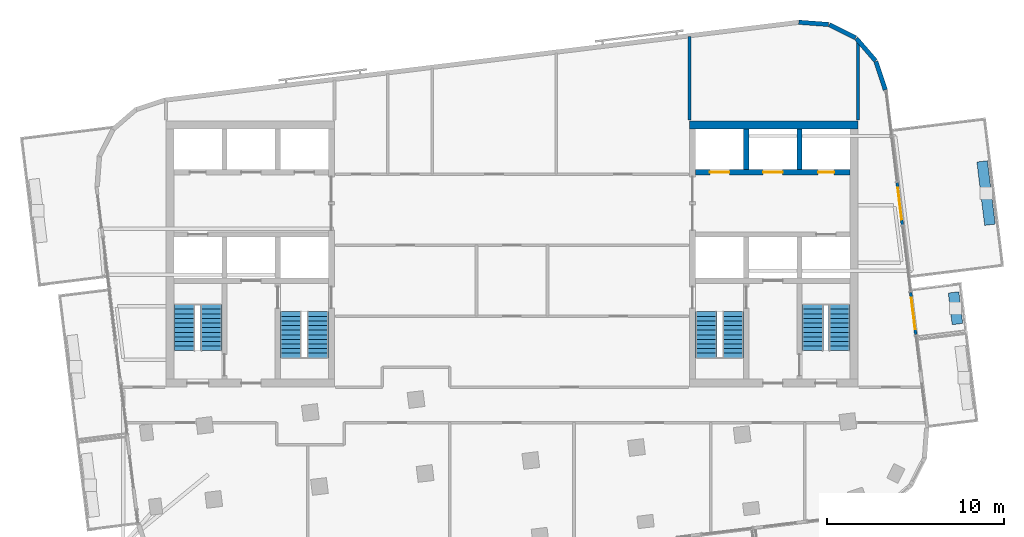
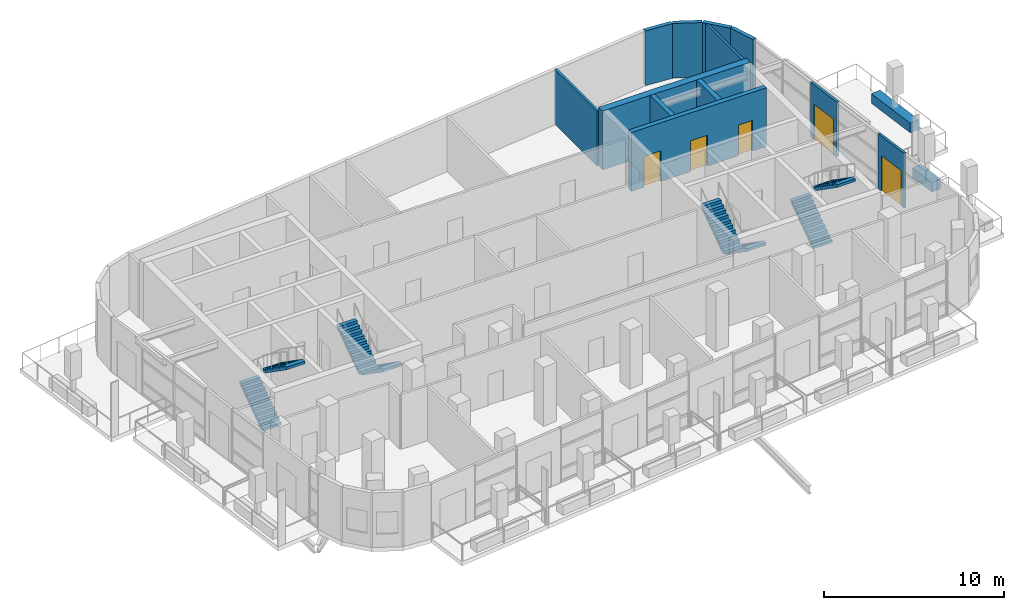
# One storey, part 9 of 13: 14 walls, 8 stair flights, 5 doors, 5 openings, 4 elements without a shape of their own.
"""IFC4 building model written with IfcOpenShell, lengths in metres."""

import ifcopenshell
import ifcopenshell.guid

model = None  # the IFC model being written
_history = None  # IfcOwnerHistory: only IFC2X3 demands one
_inside = {}  # id of a spatial element -> (the spatial element, [elements in it])
_under = {}  # id of a project, library or spatial element -> (it, [spatial elements below it])
_declared = {}  # id of a project -> (the project, [libraries it declares])
_typed = {}  # id of a type object -> (the type object, [elements of that type])
_made_of = {}  # id of a material, layer set ... -> (it, [elements and type objects made of it])


def new_model(schema):
    """Start an empty IFC model of exactly this schema.

    Asked for "IFC4X3", IfcOpenShell would pick the latest addendum, in which some entities
    have other attributes; the version numbers below select the first issue.
    IFC2X3 requires an IfcOwnerHistory on every rooted entity: one is made here for all.
    """
    global model, _history
    if schema == "IFC4X3":
        model = ifcopenshell.file(schema_version=(4, 3, 0, 0))
    else:
        model = ifcopenshell.file(schema=schema)
    _inside.clear()
    _under.clear()
    _declared.clear()
    _typed.clear()
    _made_of.clear()
    _history = None
    if model.schema == "IFC2X3":
        org = make("IfcOrganization", Name="unknown")
        user = make(
            "IfcPersonAndOrganization",
            ThePerson=make("IfcPerson", FamilyName="unknown"),
            TheOrganization=org,
        )
        app = make(
            "IfcApplication",
            ApplicationDeveloper=org,
            Version="unknown",
            ApplicationFullName="unknown",
            ApplicationIdentifier="unknown",
        )
        _history = make(
            "IfcOwnerHistory",
            OwningUser=user,
            OwningApplication=app,
            ChangeAction="ADDED",
            CreationDate=0,
        )
    return model


def make(cls, **values):
    """One entity of the class cls with the attributes given. An attribute that is None is left unset."""
    return model.create_entity(
        cls, **{name: value for name, value in values.items() if value is not None}
    )


def rooted(cls, **values):
    """An entity with a GlobalId (a new one), such as an element, a storey or a relation."""
    return make(cls, GlobalId=ifcopenshell.guid.new(), OwnerHistory=_history, **values)


def si_unit(unit_type, name, prefix=None):
    """IfcSIUnit, for example si_unit("LENGTHUNIT", "METRE", prefix="MILLI")."""
    return make("IfcSIUnit", UnitType=unit_type, Prefix=prefix, Name=name)


def assignment(units):
    """IfcUnitAssignment: the units of a project."""
    return None if units is None else make("IfcUnitAssignment", Units=units)


def point(xyz):
    """IfcCartesianPoint."""
    return None if xyz is None else make("IfcCartesianPoint", Coordinates=xyz)


def direction(xyz):
    """IfcDirection."""
    return None if xyz is None else make("IfcDirection", DirectionRatios=xyz)


def frame(location, z_axis=None, x_axis=None):
    """IfcAxis2Placement3D, a coordinate frame: its origin and axes. An axis left out is left unset."""
    return make(
        "IfcAxis2Placement3D",
        Location=point(location),
        Axis=direction(z_axis),
        RefDirection=direction(x_axis),
    )


def frame_2d(location, x_axis=None):
    """IfcAxis2Placement2D, a coordinate frame in the plane: its origin and x axis."""
    return make(
        "IfcAxis2Placement2D", Location=point(location), RefDirection=direction(x_axis)
    )


def origin():
    """The frame at (0, 0, 0) with its axes left unset."""
    return frame((0.0, 0.0, 0.0))


def place(relative_to, where):
    """IfcLocalPlacement: puts the frame where relative to a parent placement (None: the world)."""
    return make(
        "IfcLocalPlacement", PlacementRelTo=relative_to, RelativePlacement=where
    )


def context(
    kind, dimensions, precision=None, world=None, true_north=None, identifier=None
):
    """IfcGeometricRepresentationContext, for example the 3D "Model" context."""
    return make(
        "IfcGeometricRepresentationContext",
        ContextIdentifier=identifier,
        ContextType=kind,
        CoordinateSpaceDimension=dimensions,
        Precision=precision,
        WorldCoordinateSystem=world,
        TrueNorth=true_north,
    )


def subcontext(parent, identifier, kind, view, scale=None):
    """IfcGeometricRepresentationSubContext, for example "Body" below "Model"."""
    return make(
        "IfcGeometricRepresentationSubContext",
        ContextIdentifier=identifier,
        ContextType=kind,
        ParentContext=parent,
        TargetScale=scale,
        TargetView=view,
    )


def project(units=None, contexts=None):
    """IfcProject with its units and contexts."""
    return rooted(
        "IfcProject",
        Name="project",
        RepresentationContexts=contexts,
        UnitsInContext=assignment(units),
    )


def spatial(cls, under=None, at=None, **own):
    """A site, building, storey or space (cls), placed at a placement, below another one or the project."""
    s = rooted(cls, ObjectPlacement=at, **own)
    if under is not None:
        _under.setdefault(under.id(), (under, []))[1].append(s)
    return s


def polyline(points):
    """IfcPolyline through the points."""
    return make("IfcPolyline", Points=[point(p) for p in points])


def profile(cls, at=None, kind="AREA", **sizes):
    """A parametric profile (cls). Its sizes go by their IFC names, for example OverallWidth=200.0."""
    return make(cls, ProfileType=kind, Position=at, **sizes)


def rectangle(**sizes):
    """IfcRectangleProfileDef."""
    return profile("IfcRectangleProfileDef", **sizes)


def outline(outer, holes=None, kind="AREA"):
    """IfcArbitraryClosedProfileDef: a profile drawn as a closed curve; with holes, ...WithVoids."""
    if holes is None:
        return make("IfcArbitraryClosedProfileDef", ProfileType=kind, OuterCurve=outer)
    return make(
        "IfcArbitraryProfileDefWithVoids",
        ProfileType=kind,
        OuterCurve=outer,
        InnerCurves=holes,
    )


def extrude(swept, where, along, depth):
    """IfcExtrudedAreaSolid: the profile swept, set in the frame where, extruded along a direction by depth."""
    return make(
        "IfcExtrudedAreaSolid",
        SweptArea=swept,
        Position=where,
        ExtrudedDirection=direction(along),
        Depth=depth,
    )


def shape(context_of_items, identifier, shape_type, items):
    """IfcShapeRepresentation: the items that make up one representation, for example the "Body"."""
    return make(
        "IfcShapeRepresentation",
        ContextOfItems=context_of_items,
        RepresentationIdentifier=identifier,
        RepresentationType=shape_type,
        Items=items,
    )


def material(Name=None, Category=None):
    """IfcMaterial."""
    return make("IfcMaterial", Name=Name, Category=Category)


def layer(
    of_material, thickness, ventilated=None, Name=None, Category=None, Priority=None
):
    """IfcMaterialLayer: one layer of a wall or slab, of a material (None: an air gap)."""
    return make(
        "IfcMaterialLayer",
        Material=of_material,
        LayerThickness=thickness,
        IsVentilated=ventilated,
        Name=Name,
        Category=Category,
        Priority=Priority,
    )


def layer_set(layers, Name=None):
    """IfcMaterialLayerSet."""
    return make("IfcMaterialLayerSet", MaterialLayers=layers, LayerSetName=Name)


def made_of(thing, what):
    """Note that an element or type object is made of a material, layer set ...; save() writes the relation."""
    if what is not None:
        _made_of.setdefault(what.id(), (what, []))[1].append(thing)
    return thing


def type_object(cls, material=None, **own):
    """A type object (cls), such as IfcWallType, which elements share."""
    return made_of(rooted(cls, **own), material)


def element(
    cls,
    number,
    at=None,
    inside=None,
    cuts=None,
    type_object=None,
    material=None,
    context=None,
    identifier="Body",
    shape_type=None,
    held_by="IfcProductDefinitionShape",
    body=None,
    shapes=None,
    **own,
):
    """One element of the class cls, such as IfcWall. Its Tag is "e" and its number.

    at: its placement. inside: the storey or other place that contains it. cuts: it is an
    opening in that element (IfcRelVoidsElement). A single representation is given by context,
    identifier, shape_type and body (its items); several are given by shapes. held_by: the class
    of the entity that holds the representations. save() writes the other relations.
    """
    e = rooted(cls, Tag="e%d" % number, ObjectPlacement=at, **own)
    if body is not None:
        shapes = [shape(context, identifier, shape_type, body)]
    if shapes is not None:
        e.Representation = make(held_by, Representations=shapes)
    if inside is not None:
        _inside.setdefault(inside.id(), (inside, []))[1].append(e)
    if cuts is not None:
        rooted(
            "IfcRelVoidsElement", RelatingBuildingElement=cuts, RelatedOpeningElement=e
        )
    if type_object is not None:
        _typed.setdefault(type_object.id(), (type_object, []))[1].append(e)
    return made_of(e, material)


def fill(opening, filler):
    """IfcRelFillsElement: the door or window that sits in an opening."""
    return rooted(
        "IfcRelFillsElement",
        RelatingOpeningElement=opening,
        RelatedBuildingElement=filler,
    )


def aggregate(whole, parts):
    """IfcRelAggregates: a whole, such as a stair, and the parts it consists of."""
    return rooted("IfcRelAggregates", RelatingObject=whole, RelatedObjects=parts)


def save(model, path):
    """Write the relations noted so far, then the file.

    IfcRelAggregates (storeys below a building ...), IfcRelContainedInSpatialStructure (elements
    in a storey), IfcRelDefinesByType, IfcRelAssociatesMaterial and IfcRelDeclares: one each for
    every whole, place, type object, material and project.
    """
    for whole, parts in _under.values():
        aggregate(whole, parts)
    for where, things in _inside.values():
        rooted(
            "IfcRelContainedInSpatialStructure",
            RelatedElements=things,
            RelatingStructure=where,
        )
    for kind, things in _typed.values():
        rooted("IfcRelDefinesByType", RelatedObjects=things, RelatingType=kind)
    for what, things in _made_of.values():
        rooted("IfcRelAssociatesMaterial", RelatedObjects=things, RelatingMaterial=what)
    for by, libraries in _declared.values():
        rooted("IfcRelDeclares", RelatingContext=by, RelatedDefinitions=libraries)
    model.write(path)


model = new_model("IFC4")

# Units and contexts
model_context = context("Model", 3, precision=1e-05, world=origin(), true_north=direction((0.0, 1.0)))
body_context = subcontext(model_context, "Body", "Model", "MODEL_VIEW")
ifc_project = project(units=[si_unit("LENGTHUNIT", "METRE"), si_unit("AREAUNIT", "SQUARE_METRE"), si_unit("VOLUMEUNIT", "CUBIC_METRE"), si_unit("PLANEANGLEUNIT", "RADIAN"), si_unit("MASSUNIT", "GRAM", prefix="KILO")], contexts=[model_context])

# Site, building, storey
site_placement = place(None, origin())
site = spatial("IfcSite", under=ifc_project, at=site_placement, CompositionType="ELEMENT")
building_placement = place(site_placement, origin())
building = spatial("IfcBuilding", under=site, at=building_placement, Name="Torana Hotel and Residences", CompositionType="ELEMENT")
storey_placement = place(building_placement, frame((0.0, 0.0, 314.60009765625)))
storey = spatial("IfcBuildingStorey", under=building, at=storey_placement, Name="L83", CompositionType="ELEMENT", Elevation=314.60009765625)

# Wall, openings, doors
ifc_material_1 = material(Name="Concrete C60/75", Category="concrete")
ifc_layer_1 = layer(ifc_material_1, 0.300048828125)
ifc_layer_set_1 = layer_set([ifc_layer_1], Name="CORE WALL 300 C60/75")
wall_type_1 = type_object("IfcWallType", Name="CORE WALL 300 C60/75", PredefinedType="SHEAR", material=ifc_layer_set_1)
wall_1_placement = place(storey_placement, frame((10.35009765625, -2.89990234375, 0.0), z_axis=(0.0, 0.0, 1.0), x_axis=(1.0, 0.0, 0.0)))
wall_1 = element("IfcWall", 1, at=wall_1_placement, inside=storey, type_object=wall_type_1, Name="Core wall E row-N", PredefinedType="SHEAR", context=body_context, shape_type="SweptSolid", body=[
    extrude(rectangle(XDim=8.699951171875, YDim=0.300048828125, at=frame_2d((4.35009765625, 0.0))), origin(), (0.0, 0.0, 1.0), 4.0),
])
opening_1_placement = place(wall_1_placement, frame((0.800048828125, 0.0, 0.0)))
opening_1 = element("IfcOpeningElement", 2, at=opening_1_placement, cuts=wall_1, Name="Opening LD", PredefinedType="OPENING", context=body_context, shape_type="SweptSolid", body=[
    extrude(rectangle(XDim=1.10009765625, YDim=2.10009765625, at=frame_2d((0.550048828125, 1.050048828125))), frame((0.0, 0.159912109375, 0.0), z_axis=(0.0, -1.0, 0.0), x_axis=(1.0, 0.0, 0.0)), (0.0, 0.0, 1.0), 0.320068359375),
])
opening_2_placement = place(wall_1_placement, frame((3.800048828125, 0.0, 0.0)))
opening_2 = element("IfcOpeningElement", 3, at=opening_2_placement, cuts=wall_1, Name="Opening LD", PredefinedType="OPENING", context=body_context, shape_type="SweptSolid", body=[
    extrude(rectangle(XDim=1.10009765625, YDim=2.10009765625, at=frame_2d((0.550048828125, 1.050048828125))), frame((0.0, 0.159912109375, 0.0), z_axis=(0.0, -1.0, 0.0), x_axis=(1.0, 0.0, 0.0)), (0.0, 0.0, 1.0), 0.320068359375),
])
opening_3_placement = place(wall_1_placement, frame((6.89990234375, 0.0, 0.0)))
opening_3 = element("IfcOpeningElement", 4, at=opening_3_placement, cuts=wall_1, Name="Opening L83-14", PredefinedType="OPENING", context=body_context, shape_type="SweptSolid", body=[
    extrude(rectangle(XDim=0.89990234375, YDim=2.10009765625, at=frame_2d((0.449951171875, 1.050048828125))), frame((0.0, 0.159912109375, 0.0), z_axis=(0.0, -1.0, 0.0), x_axis=(1.0, 0.0, 0.0)), (0.0, 0.0, 1.0), 0.320068359375),
])
ifc_material_2 = material(Name="Stainless steel 316", Category="steel")
door_type_1 = type_object("IfcDoorType", Name="LIFT LANDING DOOR LD 1100x2100", OperationType="DOUBLE_DOOR_SLIDING", PredefinedType="USERDEFINED", material=ifc_material_2)
door_1_placement = place(opening_1_placement, origin())
door_1 = element("IfcDoor", 5, at=door_1_placement, inside=storey, type_object=door_type_1, Name="Lift landing door H3 L83", ObjectType="LIFT LANDING DOOR", OperationType="DOUBLE_DOOR_SLIDING", OverallHeight=2.10009765625, OverallWidth=1.10009765625, PredefinedType="USERDEFINED", context=body_context, shape_type="SweptSolid", body=[
    extrude(rectangle(XDim=1.10009765625, YDim=2.10009765625, at=frame_2d((0.550048828125, 1.050048828125))), frame((0.0, 0.02490234375, 0.0), z_axis=(0.0, -1.0, 0.0), x_axis=(1.0, 0.0, 0.0)), (0.0, 0.0, 1.0), 0.050048828125),
])
fill(opening_1, door_1)
door_2_placement = place(opening_2_placement, origin())
door_2 = element("IfcDoor", 6, at=door_2_placement, inside=storey, type_object=door_type_1, Name="Lift landing door H4 L83", ObjectType="LIFT LANDING DOOR", OperationType="DOUBLE_DOOR_SLIDING", OverallHeight=2.10009765625, OverallWidth=1.10009765625, PredefinedType="USERDEFINED", context=body_context, shape_type="SweptSolid", body=[
    extrude(rectangle(XDim=1.10009765625, YDim=2.10009765625, at=frame_2d((0.550048828125, 1.050048828125))), frame((0.0, 0.02490234375, 0.0), z_axis=(0.0, -1.0, 0.0), x_axis=(1.0, 0.0, 0.0)), (0.0, 0.0, 1.0), 0.050048828125),
])
fill(opening_2, door_2)
ifc_material_3 = material(Name="Steel S235", Category="steel")
door_type_2 = type_object("IfcDoorType", Name="RISER ACCESS DOOR D5 900x2100", OperationType="SINGLE_SWING_LEFT", PredefinedType="DOOR", material=ifc_material_3)
door_3_placement = place(opening_3_placement, origin())
door_3 = element("IfcDoor", 7, at=door_3_placement, inside=storey, type_object=door_type_2, Name="N2 door L83", OperationType="SINGLE_SWING_RIGHT", OverallHeight=2.10009765625, OverallWidth=0.89990234375, PredefinedType="DOOR", context=body_context, shape_type="SweptSolid", body=[
    extrude(rectangle(XDim=0.89990234375, YDim=2.10009765625, at=frame_2d((0.449951171875, 1.050048828125))), frame((0.0, 0.02490234375, 0.0), z_axis=(0.0, -1.0, 0.0), x_axis=(1.0, 0.0, 0.0)), (0.0, 0.0, 1.0), 0.050048828125),
])
fill(opening_3, door_3)

# Walls
for number, where, z_axis, x_axis, name in (
    (8, (13.199951171875, -2.75, 0.0), (0.0, 0.0, 1.0), (0.0, 1.0, 0.0), "Core wall E x3.05-N"),
    (9, (16.199951171875, -2.75, 0.0), (0.0, 0.0, 1.0), (0.0, 1.0, 0.0), "Core wall E x6.05-N"),
):
    element("IfcWall", number, at=place(storey_placement, frame(where, z_axis=z_axis, x_axis=x_axis)), inside=storey, type_object=wall_type_1, Name=name, PredefinedType="SHEAR", context=body_context, shape_type="SweptSolid", body=[
        extrude(rectangle(XDim=2.300048828125, YDim=0.300048828125, at=frame_2d((1.14990234375, 0.0))), origin(), (0.0, 0.0, 1.0), 4.0),
    ])
ifc_material_4 = material(Name="Concrete C60/75", Category="concrete")
ifc_layer_2 = layer(ifc_material_4, 0.449951171875)
ifc_layer_set_2 = layer_set([ifc_layer_2], Name="CORE WALL 450 C60/75")
wall_type_2 = type_object("IfcWallType", Name="CORE WALL 450 C60/75", PredefinedType="SHEAR", material=ifc_layer_set_2)
wall_2_placement = place(storey_placement, frame((10.0, -0.22509765625, 0.0), z_axis=(0.0, 0.0, 1.0), x_axis=(1.0, 0.0, 0.0)))
element("IfcWall", 10, at=wall_2_placement, inside=storey, type_object=wall_type_2, Name="Core wall E rear", PredefinedType="SHEAR", context=body_context, shape_type="SweptSolid", body=[
    extrude(rectangle(XDim=9.5, YDim=0.449951171875, at=frame_2d((4.75, 0.0))), origin(), (0.0, 0.0, 1.0), 4.0),
])
ifc_material_5 = material(Name="Black aluminium composite panel", Category="aluminium")
ifc_layer_3 = layer(ifc_material_5, 0.00390625, Name="Cladding", Category="cladding")
ifc_material_6 = material(Name="Ventilated air cavity")
ifc_layer_4 = layer(ifc_material_6, 0.0400390625, Name="Ventilated cavity", Category="cavity")
ifc_material_7 = material(Name="Mineral wool insulation")
ifc_layer_5 = layer(ifc_material_7, 0.090087890625, Name="Insulation", Category="insulation")
ifc_material_8 = material(Name="Steel S280GD", Category="steel")
ifc_layer_6 = layer(ifc_material_8, 0.092041015625, Name="Steel stud frame", Category="structure")
ifc_material_9 = material(Name="Fire rated plasterboard")
ifc_layer_7 = layer(ifc_material_9, 0.011962890625, Name="Inner board", Category="finish")
ifc_layer_8 = layer(ifc_material_9, 0.011962890625, Name="Second board", Category="finish")
ifc_layer_set_3 = layer_set([ifc_layer_3, ifc_layer_4, ifc_layer_5, ifc_layer_6, ifc_layer_7, ifc_layer_8], Name="EW1 EXTERNAL WALL BLACK METAL CLAD 250")
wall_type_3 = type_object("IfcWallType", Name="EW1 EXTERNAL WALL BLACK METAL CLAD 250", PredefinedType="SOLIDWALL", material=ifc_layer_set_3)
wall_3_placement = place(storey_placement, frame((21.035888671875, 1.754638671875, 0.0), z_axis=(0.0, 0.0, 1.0), x_axis=(-0.313046160822, 0.949737911844, 0.0)))
element("IfcWall", 11, at=wall_3_placement, inside=storey, type_object=wall_type_3, Name="External wall L83 e0.0", PredefinedType="SOLIDWALL", context=body_context, shape_type="SweptSolid", body=[
    extrude(rectangle(XDim=1.681396484375, YDim=0.25, at=frame_2d((0.8408203125, 0.0))), origin(), (0.0, 0.0, 1.0), 3.719970703125),
])
for number, where, z_axis, x_axis, name in (
    (12, (20.4853515625, 3.39404296875, 0.0), (0.0, 0.0, 1.0), (-0.652755886531, 0.757568315466, 0.0), "External wall L83 e0.1"),
    (13, (19.36572265625, 4.678955078125, 0.0), (0.0, 0.0, 1.0), (-0.893007580524, 0.450041621549, 0.0), "External wall L83 e0.2"),
):
    element("IfcWall", number, at=place(storey_placement, frame(where, z_axis=z_axis, x_axis=x_axis)), inside=storey, type_object=wall_type_3, Name=name, PredefinedType="SOLIDWALL", context=body_context, shape_type="SweptSolid", body=[
        extrude(rectangle(XDim=1.65625, YDim=0.25, at=frame_2d((0.828125, 0.0))), origin(), (0.0, 0.0, 1.0), 3.719970703125),
    ])
wall_4_placement = place(storey_placement, frame((17.839599609375, 5.4375, 0.0), z_axis=(0.0, 0.0, 1.0), x_axis=(-0.997254267475, 0.074053534713, 0.0)))
element("IfcWall", 14, at=wall_4_placement, inside=storey, type_object=wall_type_3, Name="External wall L83 e0.3", PredefinedType="SOLIDWALL", context=body_context, shape_type="SweptSolid", body=[
    extrude(rectangle(XDim=1.681396484375, YDim=0.25, at=frame_2d((0.8408203125, 0.0))), origin(), (0.0, 0.0, 1.0), 3.719970703125),
])

# Wall, opening, door
ifc_material_10 = material(Name="Dark glass screen in aluminium frame", Category="aluminium")
ifc_layer_9 = layer(ifc_material_10, 0.14990234375)
ifc_layer_set_4 = layer_set([ifc_layer_9], Name="GS1 GLAZED DOOR SCREEN 150")
wall_type_4 = type_object("IfcWallType", Name="GS1 GLAZED DOOR SCREEN 150", PredefinedType="USERDEFINED", material=ifc_layer_set_4)
wall_5_placement = place(storey_placement, frame((22.757080078125, -12.0380859375, 0.0), z_axis=(0.0, 0.0, 1.0), x_axis=(-0.121868445399, 0.992546261902, 0.0)))
wall_5 = element("IfcWall", 15, at=wall_5_placement, inside=storey, type_object=wall_type_4, Name="Glazed door screen L83", ObjectType="GLAZED SCREEN", PredefinedType="USERDEFINED", context=body_context, shape_type="SweptSolid", body=[
    extrude(rectangle(XDim=2.39990234375, YDim=0.14990234375, at=frame_2d((1.199951171875, 0.0))), origin(), (0.0, 0.0, 1.0), 3.719970703125),
])
opening_4_placement = place(wall_5_placement, frame((0.300048828125, 0.0, 0.0)))
opening_4 = element("IfcOpeningElement", 16, at=opening_4_placement, cuts=wall_5, Name="Opening L83-E11", PredefinedType="OPENING", context=body_context, shape_type="SweptSolid", body=[
    extrude(rectangle(XDim=1.800048828125, YDim=2.39990234375, at=frame_2d((0.89990234375, 1.199951171875))), frame((0.0, 0.0849609375, 0.0), z_axis=(0.0, -1.0, 0.0), x_axis=(1.0, 0.0, 0.0)), (0.0, 0.0, 1.0), 0.169921875),
])
ifc_material_11 = material(Name="Dark glass in black aluminium frame", Category="aluminium")
door_type_3 = type_object("IfcDoorType", Name="DB1 BALCONY DOOR 1800x2400", OperationType="DOUBLE_DOOR_SINGLE_SWING", PredefinedType="DOOR", material=ifc_material_11)
door_4_placement = place(opening_4_placement, origin())
door_4 = element("IfcDoor", 17, at=door_4_placement, inside=storey, type_object=door_type_3, Name="Balcony door L83", OperationType="DOUBLE_DOOR_SINGLE_SWING", OverallHeight=2.39990234375, OverallWidth=1.800048828125, PredefinedType="DOOR", context=body_context, shape_type="SweptSolid", body=[
    extrude(rectangle(XDim=1.800048828125, YDim=2.39990234375, at=frame_2d((0.89990234375, 1.199951171875))), frame((0.0, 0.02490234375, 0.0), z_axis=(0.0, -1.0, 0.0), x_axis=(1.0, 0.0, 0.0)), (0.0, 0.0, 1.0), 0.050048828125),
])
fill(opening_4, door_4)

wall_6_placement = place(storey_placement, frame((21.99755859375, -5.853271484375, 0.0), z_axis=(0.0, 0.0, 1.0), x_axis=(-0.121868445399, 0.992546261902, 0.0)))
wall_6 = element("IfcWall", 18, at=wall_6_placement, inside=storey, type_object=wall_type_4, Name="Glazed door screen L83", ObjectType="GLAZED SCREEN", PredefinedType="USERDEFINED", context=body_context, shape_type="SweptSolid", body=[
    extrude(rectangle(XDim=2.39990234375, YDim=0.14990234375, at=frame_2d((1.199951171875, 0.0))), origin(), (0.0, 0.0, 1.0), 3.719970703125),
])
opening_5_placement = place(wall_6_placement, frame((0.300048828125, 0.0, 0.0)))
opening_5 = element("IfcOpeningElement", 19, at=opening_5_placement, cuts=wall_6, Name="Opening L83-E12", PredefinedType="OPENING", context=body_context, shape_type="SweptSolid", body=[
    extrude(rectangle(XDim=1.800048828125, YDim=2.39990234375, at=frame_2d((0.89990234375, 1.199951171875))), frame((0.0, 0.0849609375, 0.0), z_axis=(0.0, -1.0, 0.0), x_axis=(1.0, 0.0, 0.0)), (0.0, 0.0, 1.0), 0.169921875),
])
door_5_placement = place(opening_5_placement, origin())
door_5 = element("IfcDoor", 20, at=door_5_placement, inside=storey, type_object=door_type_3, Name="Balcony door L83", OperationType="DOUBLE_DOOR_SINGLE_SWING", OverallHeight=2.39990234375, OverallWidth=1.800048828125, PredefinedType="DOOR", context=body_context, shape_type="SweptSolid", body=[
    extrude(rectangle(XDim=1.800048828125, YDim=2.39990234375, at=frame_2d((0.89990234375, 1.199951171875))), frame((0.0, 0.02490234375, 0.0), z_axis=(0.0, -1.0, 0.0), x_axis=(1.0, 0.0, 0.0)), (0.0, 0.0, 1.0), 0.050048828125),
])
fill(opening_5, door_5)

# Walls
ifc_material_12 = material(Name="Gypsum plasterboard")
ifc_layer_10 = layer(ifc_material_12, 0.012451171875, Name="Plasterboard", Category="finish")
ifc_layer_11 = layer(ifc_material_12, 0.012451171875, Name="Plasterboard", Category="finish")
ifc_layer_12 = layer(ifc_material_8, 0.10009765625, Name="Steel studs with mineral wool", Category="insulation")
ifc_layer_13 = layer(ifc_material_12, 0.012451171875, Name="Plasterboard", Category="finish")
ifc_layer_14 = layer(ifc_material_12, 0.012451171875, Name="Plasterboard", Category="finish")
ifc_layer_set_5 = layer_set([ifc_layer_10, ifc_layer_11, ifc_layer_12, ifc_layer_13, ifc_layer_14], Name="PARTITION 150 PLASTERBOARD")
wall_type_5 = type_object("IfcWallType", Name="PARTITION 150 PLASTERBOARD", PredefinedType="PARTITIONING", material=ifc_layer_set_5)
wall_7_placement = place(storey_placement, frame((19.5, 0.050048828125, 0.0), z_axis=(0.0, 0.0, 1.0), x_axis=(0.0, 1.0, 0.0)))
element("IfcWall", 21, at=wall_7_placement, inside=storey, type_object=wall_type_5, Name="Partition L83", PredefinedType="PARTITIONING", context=body_context, shape_type="SweptSolid", body=[
    extrude(rectangle(XDim=4.4033203125, YDim=0.14990234375, at=frame_2d((2.20166015625, 0.0))), origin(), (0.0, 0.0, 1.0), 3.719970703125),
])
wall_8_placement = place(storey_placement, frame((10.0, 0.050048828125, 0.0), z_axis=(0.0, 0.0, 1.0), x_axis=(0.0, 1.0, 0.0)))
element("IfcWall", 22, at=wall_8_placement, inside=storey, type_object=wall_type_5, Name="Partition L83", PredefinedType="PARTITIONING", context=body_context, shape_type="SweptSolid", body=[
    extrude(rectangle(XDim=4.7021484375, YDim=0.14990234375, at=frame_2d((2.35107421875, 0.0))), origin(), (0.0, 0.0, 1.0), 3.719970703125),
])
ifc_material_13 = material(Name="Concrete C40/50 precast", Category="concrete")
ifc_layer_15 = layer(ifc_material_13, 0.10009765625, Name="Planter shell", Category="structure")
ifc_material_14 = material(Name="Root resistant membrane")
ifc_layer_16 = layer(ifc_material_14, 0.00390625, Name="Waterproofing membrane", Category="membrane")
ifc_material_15 = material(Name="Drainage board with filter fleece")
ifc_layer_17 = layer(ifc_material_15, 0.02001953125, Name="Drainage board", Category="drainage")
ifc_material_16 = material(Name="Growing medium")
ifc_layer_18 = layer(ifc_material_16, 0.47607421875, Name="Planting substrate", Category="soil")
ifc_layer_set_6 = layer_set([ifc_layer_15, ifc_layer_16, ifc_layer_17, ifc_layer_18], Name="PL1 BALCONY PLANTER 600")
wall_type_6 = type_object("IfcWallType", Name="PL1 BALCONY PLANTER 600", PredefinedType="USERDEFINED", material=ifc_layer_set_6)
wall_9_placement = place(storey_placement, frame((24.88330078125, -9.66162109375, 0.0), z_axis=(0.0, 0.0, 1.0), x_axis=(0.121830336845, -0.992550940267, 0.0)))
element("IfcWall", 23, at=wall_9_placement, inside=storey, type_object=wall_type_6, Name="Planter 11", ObjectType="PLANTER", PredefinedType="USERDEFINED", context=body_context, shape_type="SweptSolid", body=[
    extrude(rectangle(XDim=1.799560546875, YDim=0.60009765625, at=frame_2d((0.89990234375, 0.0))), origin(), (0.0, 0.0, 1.0), 0.64990234375),
])
wall_10_placement = place(storey_placement, frame((26.49560546875, -2.2783203125, 0.0), z_axis=(0.0, 0.0, 1.0), x_axis=(0.121864343918, -0.992546765488, 0.0)))
element("IfcWall", 24, at=wall_10_placement, inside=storey, type_object=wall_type_6, Name="Planter 12", ObjectType="PLANTER", PredefinedType="USERDEFINED", context=body_context, shape_type="SweptSolid", body=[
    extrude(rectangle(XDim=3.60009765625, YDim=0.60009765625, at=frame_2d((1.800048828125, 0.0))), origin(), (0.0, 0.0, 1.0), 0.64990234375),
])

# Stair, stair flights
ifc_material_17 = material(Name="Concrete C40/50 precast", Category="concrete")
stair_type_1 = type_object("IfcStairType", Name="STAIR ST1 HALF TURN 1200", PredefinedType="HALF_TURN_STAIR", material=ifc_material_17)
stair_1_placement = place(storey_placement, origin())
stair_1 = element("IfcStair", 25, at=stair_1_placement, inside=storey, type_object=stair_type_1, Name="Stair ST1 L83", PredefinedType="HALF_TURN_STAIR")
ifc_material_18 = material(Name="Concrete C40/50 precast", Category="concrete")
stair_flight_type = type_object("IfcStairFlightType", Name="STAIR FLIGHT 1200 PRECAST", PredefinedType="STRAIGHT", material=ifc_material_18)
stair_flight_1_placement = place(storey_placement, frame((-10.949951171875, -10.75, 0.0), z_axis=(0.0, 0.0, 1.0), x_axis=(0.0, -1.0, 0.0)))
stair_flight_1 = element("IfcStairFlight", 26, at=stair_flight_1_placement, type_object=stair_flight_type, Name="ST1 flight 1", NumberOfRisers=11, NumberOfTreads=10, PredefinedType="STRAIGHT", RiserHeight=0.181818182, TreadLength=0.26, context=body_context, shape_type="SweptSolid", body=[
    extrude(outline(polyline([(0.0, 0.0), (0.0, 0.181884765625), (0.260009765625, 0.181884765625), (0.260009765625, 0.363525390625), (0.52001953125, 0.363525390625), (0.52001953125, 0.54541015625), (0.780029296875, 0.54541015625), (0.780029296875, 0.727294921875), (1.0400390625, 0.727294921875), (1.0400390625, 0.9091796875), (1.300048828125, 0.9091796875), (1.300048828125, 1.0908203125), (1.56005859375, 1.0908203125), (1.56005859375, 1.272705078125), (1.820068359375, 1.272705078125), (1.820068359375, 1.45458984375), (2.080078125, 1.45458984375), (2.080078125, 1.636474609375), (2.340087890625, 1.636474609375), (2.340087890625, 1.818115234375), (2.60009765625, 1.818115234375), (2.60009765625, 2.0), (2.60009765625, 1.63525390625), (0.261474609375, 0.0), (0.0, 0.0)])), frame((0.0, 0.60009765625, 0.0), z_axis=(0.0, -1.0, 0.0), x_axis=(1.0, 0.0, 0.0)), (0.0, 0.0, 1.0), 1.199951171875),
])
stair_flight_2_placement = place(storey_placement, frame((-12.449951171875, -13.35009765625, 2.0), z_axis=(0.0, 0.0, 1.0), x_axis=(0.0, 1.0, 0.0)))
stair_flight_2 = element("IfcStairFlight", 27, at=stair_flight_2_placement, type_object=stair_flight_type, Name="ST1 flight 2", NumberOfRisers=11, NumberOfTreads=10, PredefinedType="STRAIGHT", RiserHeight=0.181818182, TreadLength=0.26, context=body_context, shape_type="SweptSolid", body=[
    extrude(outline(polyline([(0.0, 0.0), (0.0, 0.181884765625), (0.260009765625, 0.181884765625), (0.260009765625, 0.363525390625), (0.52001953125, 0.363525390625), (0.52001953125, 0.54541015625), (0.780029296875, 0.54541015625), (0.780029296875, 0.727294921875), (1.0400390625, 0.727294921875), (1.0400390625, 0.9091796875), (1.300048828125, 0.9091796875), (1.300048828125, 1.0908203125), (1.56005859375, 1.0908203125), (1.56005859375, 1.272705078125), (1.820068359375, 1.272705078125), (1.820068359375, 1.45458984375), (2.080078125, 1.45458984375), (2.080078125, 1.636474609375), (2.340087890625, 1.636474609375), (2.340087890625, 1.818115234375), (2.60009765625, 1.818115234375), (2.60009765625, 2.0), (2.60009765625, 1.63525390625), (0.261474609375, 0.0), (0.0, 0.0)])), frame((0.0, 0.60009765625, 0.0), z_axis=(0.0, -1.0, 0.0), x_axis=(1.0, 0.0, 0.0)), (0.0, 0.0, 1.0), 1.199951171875),
])
aggregate(stair_1, [stair_flight_1, stair_flight_2])

ifc_material_19 = material(Name="Concrete C40/50 precast", Category="concrete")
stair_type_2 = type_object("IfcStairType", Name="STAIR ST2 HALF TURN 1200", PredefinedType="HALF_TURN_STAIR", material=ifc_material_19)
stair_2_placement = place(storey_placement, origin())
stair_2 = element("IfcStair", 28, at=stair_2_placement, inside=storey, type_object=stair_type_2, Name="Stair ST2 L83", PredefinedType="HALF_TURN_STAIR")
stair_flight_3_placement = place(storey_placement, frame((-18.449951171875, -12.949951171875, 0.0), z_axis=(0.0, 0.0, 1.0), x_axis=(0.0, 1.0, 0.0)))
stair_flight_3 = element("IfcStairFlight", 29, at=stair_flight_3_placement, type_object=stair_flight_type, Name="ST2 flight 1", NumberOfRisers=11, NumberOfTreads=10, PredefinedType="STRAIGHT", RiserHeight=0.181818182, TreadLength=0.26, context=body_context, shape_type="SweptSolid", body=[
    extrude(outline(polyline([(0.0, 0.0), (0.0, 0.181884765625), (0.260009765625, 0.181884765625), (0.260009765625, 0.363525390625), (0.52001953125, 0.363525390625), (0.52001953125, 0.54541015625), (0.780029296875, 0.54541015625), (0.780029296875, 0.727294921875), (1.0400390625, 0.727294921875), (1.0400390625, 0.9091796875), (1.300048828125, 0.9091796875), (1.300048828125, 1.0908203125), (1.56005859375, 1.0908203125), (1.56005859375, 1.272705078125), (1.820068359375, 1.272705078125), (1.820068359375, 1.45458984375), (2.080078125, 1.45458984375), (2.080078125, 1.636474609375), (2.340087890625, 1.636474609375), (2.340087890625, 1.818115234375), (2.60009765625, 1.818115234375), (2.60009765625, 2.0), (2.60009765625, 1.63525390625), (0.261474609375, 0.0), (0.0, 0.0)])), frame((0.0, 0.60009765625, 0.0), z_axis=(0.0, -1.0, 0.0), x_axis=(1.0, 0.0, 0.0)), (0.0, 0.0, 1.0), 1.199951171875),
])
stair_flight_4_placement = place(storey_placement, frame((-16.949951171875, -10.35009765625, 2.0), z_axis=(0.0, 0.0, 1.0), x_axis=(0.0, -1.0, 0.0)))
stair_flight_4 = element("IfcStairFlight", 30, at=stair_flight_4_placement, type_object=stair_flight_type, Name="ST2 flight 2", NumberOfRisers=11, NumberOfTreads=10, PredefinedType="STRAIGHT", RiserHeight=0.181818182, TreadLength=0.26, context=body_context, shape_type="SweptSolid", body=[
    extrude(outline(polyline([(0.0, 0.0), (0.0, 0.181884765625), (0.260009765625, 0.181884765625), (0.260009765625, 0.363525390625), (0.52001953125, 0.363525390625), (0.52001953125, 0.54541015625), (0.780029296875, 0.54541015625), (0.780029296875, 0.727294921875), (1.0400390625, 0.727294921875), (1.0400390625, 0.9091796875), (1.300048828125, 0.9091796875), (1.300048828125, 1.0908203125), (1.56005859375, 1.0908203125), (1.56005859375, 1.272705078125), (1.820068359375, 1.272705078125), (1.820068359375, 1.45458984375), (2.080078125, 1.45458984375), (2.080078125, 1.636474609375), (2.340087890625, 1.636474609375), (2.340087890625, 1.818115234375), (2.60009765625, 1.818115234375), (2.60009765625, 2.0), (2.60009765625, 1.63525390625), (0.261474609375, 0.0), (0.0, 0.0)])), frame((0.0, 0.60009765625, 0.0), z_axis=(0.0, -1.0, 0.0), x_axis=(1.0, 0.0, 0.0)), (0.0, 0.0, 1.0), 1.199951171875),
])
aggregate(stair_2, [stair_flight_3, stair_flight_4])

ifc_material_20 = material(Name="Concrete C40/50 precast", Category="concrete")
stair_type_3 = type_object("IfcStairType", Name="STAIR ST3 HALF TURN 1200", PredefinedType="HALF_TURN_STAIR", material=ifc_material_20)
stair_3_placement = place(storey_placement, origin())
stair_3 = element("IfcStair", 31, at=stair_3_placement, inside=storey, type_object=stair_type_3, Name="Stair ST3 L83", PredefinedType="HALF_TURN_STAIR")
stair_flight_5_placement = place(storey_placement, frame((12.449951171875, -10.75, 0.0), z_axis=(0.0, 0.0, 1.0), x_axis=(0.0, -1.0, 0.0)))
stair_flight_5 = element("IfcStairFlight", 32, at=stair_flight_5_placement, type_object=stair_flight_type, Name="ST3 flight 1", NumberOfRisers=11, NumberOfTreads=10, PredefinedType="STRAIGHT", RiserHeight=0.181818182, TreadLength=0.26, context=body_context, shape_type="SweptSolid", body=[
    extrude(outline(polyline([(0.0, 0.0), (0.0, 0.181884765625), (0.260009765625, 0.181884765625), (0.260009765625, 0.363525390625), (0.52001953125, 0.363525390625), (0.52001953125, 0.54541015625), (0.780029296875, 0.54541015625), (0.780029296875, 0.727294921875), (1.0400390625, 0.727294921875), (1.0400390625, 0.9091796875), (1.300048828125, 0.9091796875), (1.300048828125, 1.0908203125), (1.56005859375, 1.0908203125), (1.56005859375, 1.272705078125), (1.820068359375, 1.272705078125), (1.820068359375, 1.45458984375), (2.080078125, 1.45458984375), (2.080078125, 1.636474609375), (2.340087890625, 1.636474609375), (2.340087890625, 1.818115234375), (2.60009765625, 1.818115234375), (2.60009765625, 2.0), (2.60009765625, 1.63525390625), (0.261474609375, 0.0), (0.0, 0.0)])), frame((0.0, 0.60009765625, 0.0), z_axis=(0.0, -1.0, 0.0), x_axis=(1.0, 0.0, 0.0)), (0.0, 0.0, 1.0), 1.199951171875),
])
stair_flight_6_placement = place(storey_placement, frame((10.949951171875, -13.35009765625, 2.0), z_axis=(0.0, 0.0, 1.0), x_axis=(0.0, 1.0, 0.0)))
stair_flight_6 = element("IfcStairFlight", 33, at=stair_flight_6_placement, type_object=stair_flight_type, Name="ST3 flight 2", NumberOfRisers=11, NumberOfTreads=10, PredefinedType="STRAIGHT", RiserHeight=0.181818182, TreadLength=0.26, context=body_context, shape_type="SweptSolid", body=[
    extrude(outline(polyline([(0.0, 0.0), (0.0, 0.181884765625), (0.260009765625, 0.181884765625), (0.260009765625, 0.363525390625), (0.52001953125, 0.363525390625), (0.52001953125, 0.54541015625), (0.780029296875, 0.54541015625), (0.780029296875, 0.727294921875), (1.0400390625, 0.727294921875), (1.0400390625, 0.9091796875), (1.300048828125, 0.9091796875), (1.300048828125, 1.0908203125), (1.56005859375, 1.0908203125), (1.56005859375, 1.272705078125), (1.820068359375, 1.272705078125), (1.820068359375, 1.45458984375), (2.080078125, 1.45458984375), (2.080078125, 1.636474609375), (2.340087890625, 1.636474609375), (2.340087890625, 1.818115234375), (2.60009765625, 1.818115234375), (2.60009765625, 2.0), (2.60009765625, 1.63525390625), (0.261474609375, 0.0), (0.0, 0.0)])), frame((0.0, 0.60009765625, 0.0), z_axis=(0.0, -1.0, 0.0), x_axis=(1.0, 0.0, 0.0)), (0.0, 0.0, 1.0), 1.199951171875),
])
aggregate(stair_3, [stair_flight_5, stair_flight_6])

ifc_material_21 = material(Name="Concrete C40/50 precast", Category="concrete")
stair_type_4 = type_object("IfcStairType", Name="STAIR ST4 HALF TURN 1200", PredefinedType="HALF_TURN_STAIR", material=ifc_material_21)
stair_4_placement = place(storey_placement, origin())
stair_4 = element("IfcStair", 34, at=stair_4_placement, inside=storey, type_object=stair_type_4, Name="Stair ST4 L83", PredefinedType="HALF_TURN_STAIR")
stair_flight_7_placement = place(storey_placement, frame((16.949951171875, -12.949951171875, 0.0), z_axis=(0.0, 0.0, 1.0), x_axis=(0.0, 1.0, 0.0)))
stair_flight_7 = element("IfcStairFlight", 35, at=stair_flight_7_placement, type_object=stair_flight_type, Name="ST4 flight 1", NumberOfRisers=11, NumberOfTreads=10, PredefinedType="STRAIGHT", RiserHeight=0.181818182, TreadLength=0.26, context=body_context, shape_type="SweptSolid", body=[
    extrude(outline(polyline([(0.0, 0.0), (0.0, 0.181884765625), (0.260009765625, 0.181884765625), (0.260009765625, 0.363525390625), (0.52001953125, 0.363525390625), (0.52001953125, 0.54541015625), (0.780029296875, 0.54541015625), (0.780029296875, 0.727294921875), (1.0400390625, 0.727294921875), (1.0400390625, 0.9091796875), (1.300048828125, 0.9091796875), (1.300048828125, 1.0908203125), (1.56005859375, 1.0908203125), (1.56005859375, 1.272705078125), (1.820068359375, 1.272705078125), (1.820068359375, 1.45458984375), (2.080078125, 1.45458984375), (2.080078125, 1.636474609375), (2.340087890625, 1.636474609375), (2.340087890625, 1.818115234375), (2.60009765625, 1.818115234375), (2.60009765625, 2.0), (2.60009765625, 1.63525390625), (0.261474609375, 0.0), (0.0, 0.0)])), frame((0.0, 0.60009765625, 0.0), z_axis=(0.0, -1.0, 0.0), x_axis=(1.0, 0.0, 0.0)), (0.0, 0.0, 1.0), 1.199951171875),
])
stair_flight_8_placement = place(storey_placement, frame((18.449951171875, -10.35009765625, 2.0), z_axis=(0.0, 0.0, 1.0), x_axis=(0.0, -1.0, 0.0)))
stair_flight_8 = element("IfcStairFlight", 36, at=stair_flight_8_placement, type_object=stair_flight_type, Name="ST4 flight 2", NumberOfRisers=11, NumberOfTreads=10, PredefinedType="STRAIGHT", RiserHeight=0.181818182, TreadLength=0.26, context=body_context, shape_type="SweptSolid", body=[
    extrude(outline(polyline([(0.0, 0.0), (0.0, 0.181884765625), (0.260009765625, 0.181884765625), (0.260009765625, 0.363525390625), (0.52001953125, 0.363525390625), (0.52001953125, 0.54541015625), (0.780029296875, 0.54541015625), (0.780029296875, 0.727294921875), (1.0400390625, 0.727294921875), (1.0400390625, 0.9091796875), (1.300048828125, 0.9091796875), (1.300048828125, 1.0908203125), (1.56005859375, 1.0908203125), (1.56005859375, 1.272705078125), (1.820068359375, 1.272705078125), (1.820068359375, 1.45458984375), (2.080078125, 1.45458984375), (2.080078125, 1.636474609375), (2.340087890625, 1.636474609375), (2.340087890625, 1.818115234375), (2.60009765625, 1.818115234375), (2.60009765625, 2.0), (2.60009765625, 1.63525390625), (0.261474609375, 0.0), (0.0, 0.0)])), frame((0.0, 0.60009765625, 0.0), z_axis=(0.0, -1.0, 0.0), x_axis=(1.0, 0.0, 0.0)), (0.0, 0.0, 1.0), 1.199951171875),
])
aggregate(stair_4, [stair_flight_7, stair_flight_8])

save(model, "model.ifc")
